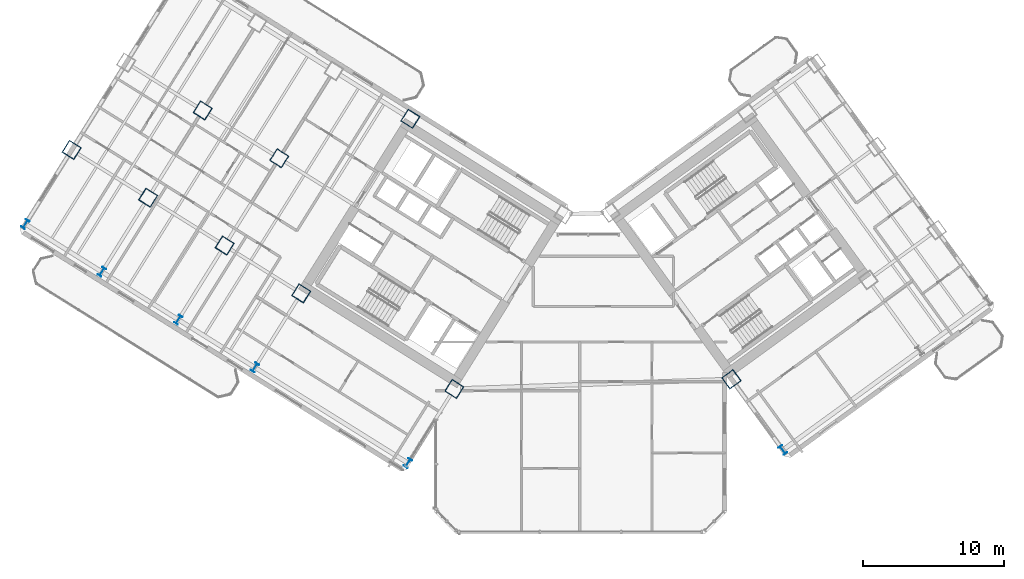
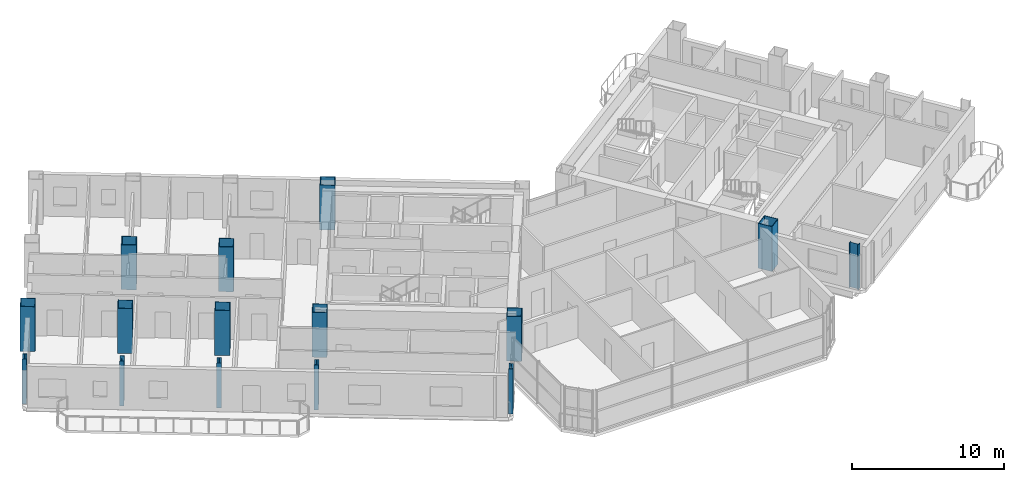
# One storey, part 1 of 24: 15 columns.
"""IFC4 building model written with IfcOpenShell, lengths in metres."""

from ifc_helpers import new_model, si_unit, direction, frame, origin, origin_2d, place, context, subcontext, project, spatial, hollow_rectangle, i_section, extrude, source, transform, mapped, material, material_profile, profile_set, type_object, element, save


model = new_model("IFC4")

# Units and contexts
model_context = context("Model", 3, precision=1e-05, world=origin(), true_north=direction((0.0, 1.0)))
body_context = subcontext(model_context, "Body", "Model", "MODEL_VIEW")
ifc_project = project(units=[si_unit("LENGTHUNIT", "METRE"), si_unit("AREAUNIT", "SQUARE_METRE"), si_unit("VOLUMEUNIT", "CUBIC_METRE"), si_unit("PLANEANGLEUNIT", "RADIAN"), si_unit("MASSUNIT", "GRAM", prefix="KILO")], contexts=[model_context])

# Site, building, storey
site_placement = place(None, origin())
site = spatial("IfcSite", under=ifc_project, at=site_placement, CompositionType="ELEMENT")
building_placement = place(site_placement, origin())
building = spatial("IfcBuilding", under=site, at=building_placement, Name="Tlacorven Tower", CompositionType="ELEMENT")
storey_placement = place(building_placement, frame((0.0, 0.0, 60.0)))
storey = spatial("IfcBuildingStorey", under=building, at=storey_placement, Name="L15", CompositionType="ELEMENT", Elevation=60.0)

# Columns
ifc_material = material(Name="Steel S460M", Category="steel")
ifc_material_profile_1 = material_profile(ifc_material, hollow_rectangle(XDim=1.0, YDim=1.0, WallThickness=0.0400390625, at=origin_2d()), Name="BOX 1000X1000X40")
ifc_profile_set_1 = profile_set([ifc_material_profile_1], Name="Steel S460M")
column_type_1 = type_object("IfcColumnType", Name="COL-TWR-S1", PredefinedType="COLUMN", material=ifc_profile_set_1)
shared_shape_1 = source(origin(), body_context, "Body", "SweptSolid", [
    extrude(hollow_rectangle(XDim=1.0, YDim=1.0, WallThickness=0.0400390625, at=origin_2d()), origin(), (0.0, 0.0, 1.0), 3.60009765625),
])
for number, where, z_axis, x_axis, name in (
    (1, (33.046142578125, 12.0869140625, 0.0), (0.0, 0.0, 1.0), (-0.848048096156, 0.529919264233, 0.0), "L15 column COL-L15-W1-3"),
    (2, (29.927978515625, 31.25146484375, 0.0), (0.0, 0.0, 1.0), (-0.848048096156, 0.529919264233, 0.0), "L15 column COL-L15-W3-1"),
    (3, (22.191162109375, 18.869873046875, 0.0), (0.0, 0.0, 1.0), (-0.848048096156, 0.529919264233, 0.0), "L15 column COL-L15-W3-3"),
    (4, (20.632080078125, 28.4521484375, 0.0), (0.0, 0.0, 1.0), (-0.848048096156, 0.529919264233, 0.0), "L15 column COL-L15-W4-2"),
    (5, (16.763671875, 22.26123046875, 0.0), (0.0, 0.0, 1.0), (-0.848048096156, 0.529919264233, 0.0), "L15 column COL-L15-W4-3"),
    (6, (15.20458984375, 31.843505859375, 0.0), (0.0, 0.0, 1.0), (-0.848048096156, 0.529919264233, 0.0), "L15 column COL-L15-W5-2"),
    (7, (11.336181640625, 25.65283203125, 0.0), (0.0, 0.0, 1.0), (-0.848048096156, 0.529919264233, 0.0), "L15 column COL-L15-W5-3"),
    (8, (5.90869140625, 29.044189453125, 0.0), (0.0, 0.0, 1.0), (-0.848048096156, 0.529919264233, 0.0), "L15 column COL-L15-W6-3"),
    (9, (52.705322265625, 12.7734375, 0.0), (0.0, 0.0, 1.0), (0.809016994375, 0.587785252292, 0.0), "L15 column COL-L15-E1-2"),
):
    element("IfcColumn", number, at=place(storey_placement, frame(where, z_axis=z_axis, x_axis=x_axis)), inside=storey, type_object=column_type_1, Name=name, PredefinedType="COLUMN", context=body_context, shape_type="MappedRepresentation", body=[
        mapped(shared_shape_1, transform((0.0, 0.0, 0.0), scale=1.0)),
    ])
ifc_material_profile_2 = material_profile(ifc_material, i_section(OverallWidth=0.300048828125, OverallDepth=0.64990234375, WebThickness=0.01611328125, FlangeThickness=0.031005859375, at=origin_2d()), Name="HEB 650")
ifc_profile_set_2 = profile_set([ifc_material_profile_2], Name="Steel S460M")
column_type_2 = type_object("IfcColumnType", Name="COL-TWR-P1", PredefinedType="COLUMN", material=ifc_profile_set_2)
shared_shape_2 = source(origin(), body_context, "Body", "SweptSolid", [
    extrude(i_section(OverallWidth=0.300048828125, OverallDepth=0.64990234375, WebThickness=0.01611328125, FlangeThickness=0.031005859375, at=origin_2d()), origin(), (0.0, 0.0, 1.0), 3.60009765625),
])
for number, where, z_axis, x_axis, name in (
    (10, (29.7607421875, 6.8291015625, 0.0), (0.0, 0.0, 1.0), (-0.848048096156, 0.529919264233, 0.0), "L15 column COL-L15-W1-4"),
    (11, (18.905517578125, 13.612060546875, 0.0), (0.0, 0.0, 1.0), (-0.848048096156, 0.529919264233, 0.0), "L15 column COL-L15-W3-4"),
    (12, (13.47802734375, 17.00341796875, 0.0), (0.0, 0.0, 1.0), (-0.848048096156, 0.529919264233, 0.0), "L15 column COL-L15-W4-4"),
    (13, (8.050537109375, 20.39501953125, 0.0), (0.0, 0.0, 1.0), (-0.848048096156, 0.529919264233, 0.0), "L15 column COL-L15-W5-4"),
    (14, (2.623046875, 23.786376953125, 0.0), (0.0, 0.0, 1.0), (-0.848048096156, 0.529919264233, 0.0), "L15 column COL-L15-W6-4"),
    (15, (56.349609375, 7.757568359375, 0.0), (0.0, 0.0, 1.0), (0.809016994375, 0.587785252292, 0.0), "L15 column COL-L15-E1-1"),
):
    element("IfcColumn", number, at=place(storey_placement, frame(where, z_axis=z_axis, x_axis=x_axis)), inside=storey, type_object=column_type_2, Name=name, PredefinedType="COLUMN", context=body_context, shape_type="MappedRepresentation", body=[
        mapped(shared_shape_2, transform((0.0, 0.0, 0.0), scale=1.0)),
    ])

save(model, "model.ifc")
